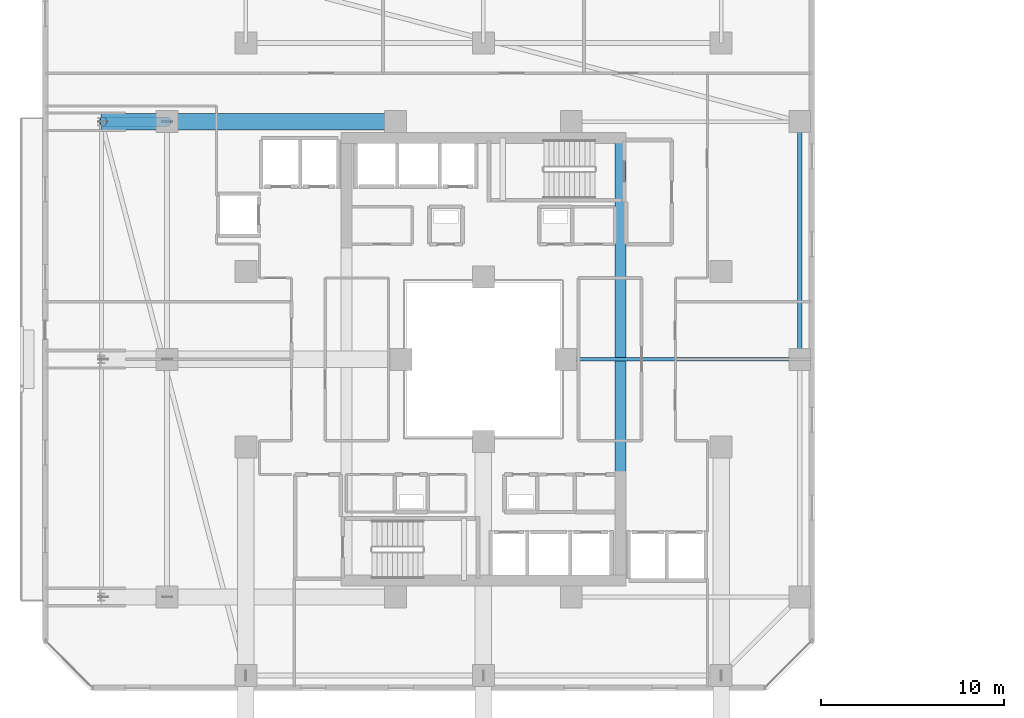
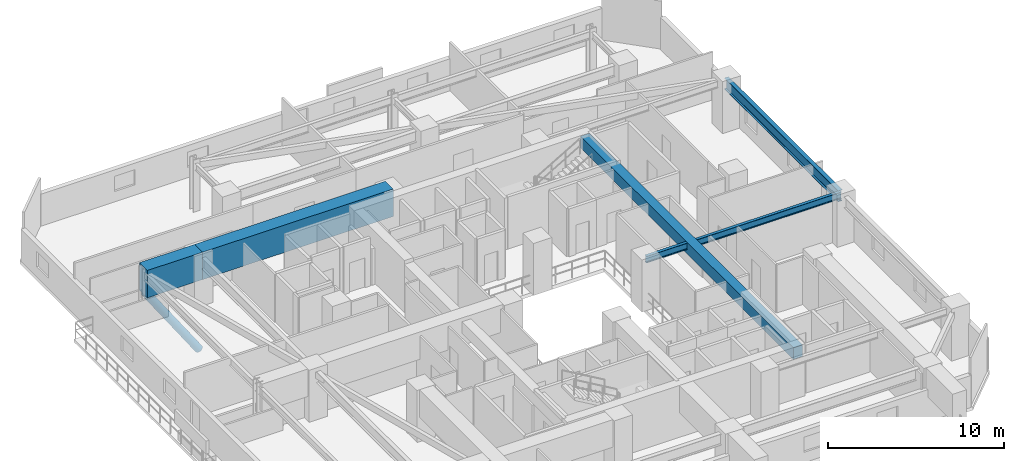
# One storey, part 6 of 36: 5 beams, 1 member.
"""IFC4 building model written with IfcOpenShell, lengths in metres."""

from ifc_helpers import new_model, si_unit, direction, frame, origin, origin_2d, place, context, subcontext, project, spatial, rectangle, hollow_circle, i_section, extrude, material, material_profile, profile_set, type_object, element, save


model = new_model("IFC4")

# Units and contexts
model_context = context("Model", 3, precision=1e-05, world=origin(), true_north=direction((0.0, 1.0)))
body_context = subcontext(model_context, "Body", "Model", "MODEL_VIEW")
ifc_project = project(units=[si_unit("LENGTHUNIT", "METRE"), si_unit("AREAUNIT", "SQUARE_METRE"), si_unit("VOLUMEUNIT", "CUBIC_METRE"), si_unit("PLANEANGLEUNIT", "RADIAN"), si_unit("MASSUNIT", "GRAM", prefix="KILO")], contexts=[model_context])

# Site, building, storey
site_placement = place(None, origin())
site = spatial("IfcSite", under=ifc_project, at=site_placement, CompositionType="ELEMENT")
building_placement = place(site_placement, origin())
building = spatial("IfcBuilding", under=site, at=building_placement, Name="Thornwick Lancets Civic Towers", CompositionType="ELEMENT")
storey_placement = place(building_placement, frame((0.0, 0.0, 116.10009765625)))
storey = spatial("IfcBuildingStorey", under=building, at=storey_placement, Name="L30", CompositionType="ELEMENT", Elevation=116.10009765625)

# Beams
ifc_material_1 = material(Name="Concrete C60/75", Category="concrete")
ifc_material_profile_1 = material_profile(ifc_material_1, rectangle(XDim=0.60009765625, YDim=0.800048828125, at=origin_2d()), Name="RC 600x800")
ifc_profile_set_1 = profile_set([ifc_material_profile_1], Name="Concrete C60/75")
beam_type_1 = type_object("IfcBeamType", Name="BM_COUP_RC800", PredefinedType="BEAM", material=ifc_profile_set_1)
beam_1_placement = place(storey_placement, frame((33.0, 14.89990234375, 2.93994140625), z_axis=(0.0, 1.0, 0.0), x_axis=(-1.0, 0.0, 0.0)))
element("IfcBeam", 1, at=beam_1_placement, inside=storey, type_object=beam_type_1, Name="CB-L30-A1", PredefinedType="BEAM", context=body_context, shape_type="SweptSolid", body=[
    extrude(rectangle(XDim=0.60009765625, YDim=0.800048828125, at=origin_2d()), origin(), (0.0, 0.0, 1.0), 24.2001953125),
])
ifc_material_2 = material(Name="Steel S355JR", Category="steel")
ifc_material_profile_2 = material_profile(ifc_material_2, i_section(OverallWidth=0.26806640625, OverallDepth=0.769775390625, WebThickness=0.015625, FlangeThickness=0.025390625, FilletRadius=0.0166015625, at=origin_2d()), Name="UKB 762x267x197")
ifc_profile_set_2 = profile_set([ifc_material_profile_2], Name="Steel S355JR")
beam_type_2 = type_object("IfcBeamType", Name="BM_GIRD_762_197", PredefinedType="BEAM", material=ifc_profile_set_2)
beam_2_placement = place(storey_placement, frame((42.800048828125, 27.080078125, 2.955078125), z_axis=(0.0, 1.0, 0.0), x_axis=(-1.0, 0.0, 0.0)))
element("IfcBeam", 2, at=beam_2_placement, inside=storey, type_object=beam_type_2, Name="BM-SPINE-L30-A-4-5", PredefinedType="BEAM", context=body_context, shape_type="SweptSolid", body=[
    extrude(i_section(OverallWidth=0.26806640625, OverallDepth=0.769775390625, WebThickness=0.015625, FlangeThickness=0.025390625, FilletRadius=0.0166015625, at=origin_2d()), origin(), (0.0, 0.0, 1.0), 12.919921875),
])
ifc_material_profile_3 = material_profile(ifc_material_2, i_section(OverallWidth=0.19189453125, OverallDepth=0.46337890625, WebThickness=0.010498046875, FlangeThickness=0.017578125, FilletRadius=0.01025390625, at=origin_2d()), Name="UKB 457x191x89")
ifc_profile_set_3 = profile_set([ifc_material_profile_3], Name="Steel S355JR")
beam_type_3 = type_object("IfcBeamType", Name="BM_JOIST_457_89", PredefinedType="JOIST", material=ifc_profile_set_3)
beam_3_placement = place(storey_placement, frame((30.0, 27.0, 3.108154296875), z_axis=(1.0, 0.0, 0.0), x_axis=(0.0, 1.0, 0.0)))
element("IfcBeam", 3, at=beam_3_placement, inside=storey, type_object=beam_type_3, Name="BM-RADIN-L30-A05", PredefinedType="JOIST", context=body_context, shape_type="SweptSolid", body=[
    extrude(i_section(OverallWidth=0.19189453125, OverallDepth=0.46337890625, WebThickness=0.010498046875, FlangeThickness=0.017578125, FilletRadius=0.01025390625, at=origin_2d()), origin(), (0.0, 0.0, 1.0), 12.800048828125),
])
ifc_material_profile_4 = material_profile(ifc_material_1, rectangle(XDim=0.89990234375, YDim=1.89990234375, at=origin_2d()), Name="RC 900x1900")
ifc_profile_set_4 = profile_set([ifc_material_profile_4], Name="Concrete C60/75")
beam_type_4 = type_object("IfcBeamType", Name="BM_TR_RC1900", PredefinedType="BEAM", material=ifc_profile_set_4)
beam_4_placement = place(storey_placement, frame((20.699951171875, 40.0, 2.64990234375), z_axis=(-1.0, 0.0, 0.0), x_axis=(0.0, -1.0, 0.0)))
element("IfcBeam", 4, at=beam_4_placement, inside=storey, type_object=beam_type_4, Name="TG-BACK-L31-A12", PredefinedType="BEAM", context=body_context, shape_type="SweptSolid", body=[
    extrude(rectangle(XDim=0.89990234375, YDim=1.89990234375, at=origin_2d()), origin(), (0.0, 0.0, 1.0), 12.5),
])
beam_5_placement = place(storey_placement, frame((8.199951171875, 40.0, 2.64990234375), z_axis=(-1.0, 0.0, 0.0), x_axis=(0.0, -1.0, 0.0)))
element("IfcBeam", 5, at=beam_5_placement, inside=storey, type_object=beam_type_4, Name="TG-CANT-L31-A12", PredefinedType="BEAM", context=body_context, shape_type="SweptSolid", body=[
    extrude(rectangle(XDim=0.89990234375, YDim=1.89990234375, at=origin_2d()), origin(), (0.0, 0.0, 1.0), 3.619873046875),
])

# Member
ifc_material_3 = material(Name="Steel S460M", Category="steel")
ifc_material_profile_5 = material_profile(ifc_material_3, hollow_circle(Radius=0.25390625, WallThickness=0.02490234375, at=origin_2d()), Name="CHS 508x25")
ifc_profile_set_5 = profile_set([ifc_material_profile_5], Name="Steel S460M")
member_type = type_object("IfcMemberType", Name="MEM_STRUT_CHS508", PredefinedType="STRUT", material=ifc_profile_set_5)
member_placement = place(storey_placement, frame((8.199951171875, 40.0, -3.35009765625), z_axis=(-0.563595410885, 0.0, 0.826050974716), x_axis=(0.0, -1.0, 0.0)))
element("IfcMember", 6, at=member_placement, inside=storey, type_object=member_type, Name="L31 Jenga Transfer Raking Strut A12", PredefinedType="STRUT", context=body_context, shape_type="SweptSolid", body=[
    extrude(hollow_circle(Radius=0.25390625, WallThickness=0.02490234375, at=origin_2d()), origin(), (0.0, 0.0, 1.0), 6.210205078125),
])

save(model, "model.ifc")
